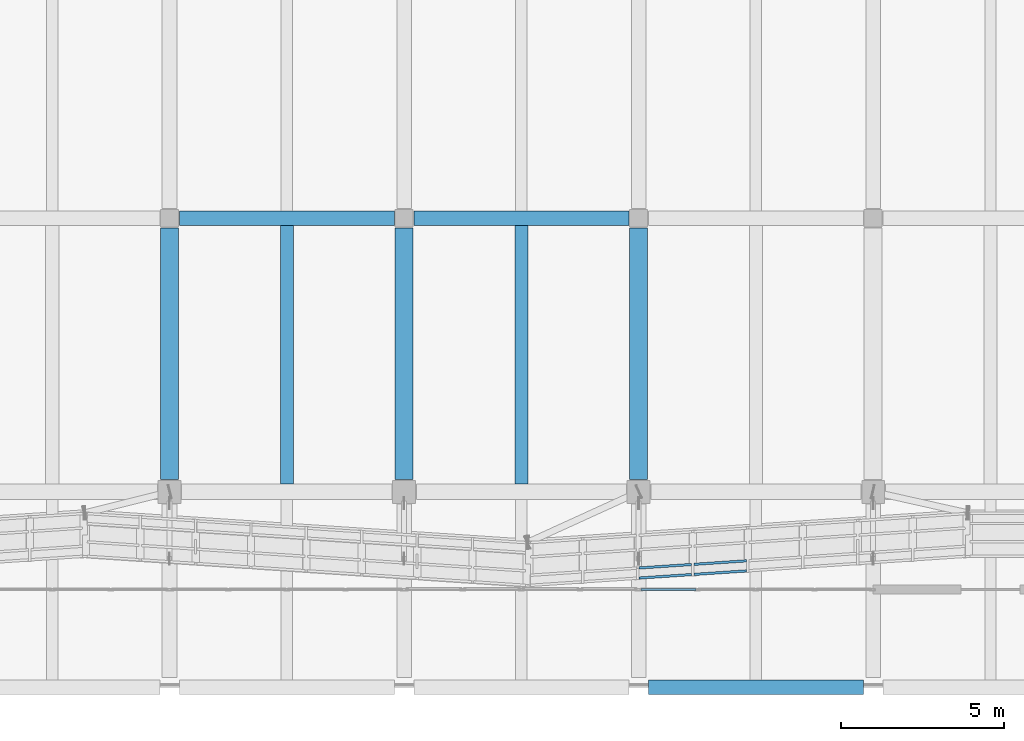
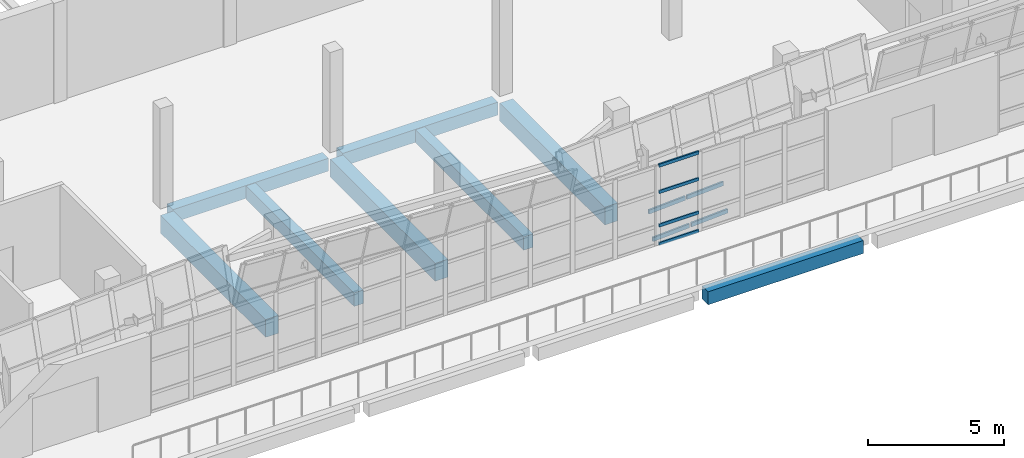
# One storey, part 11 of 67: 8 beams, 8 members, 2 elements without a shape of their own.
"""IFC4 building model written with IfcOpenShell, lengths in metres."""

from ifc_helpers import new_model, si_unit, direction, frame, origin, origin_2d, place, context, subcontext, project, spatial, rectangle, hollow_rectangle, extrude, material, material_profile, profile_set, type_object, element, aggregate, save


model = new_model("IFC4")

# Units and contexts
model_context = context("Model", 3, precision=1e-05, world=origin(), true_north=direction((0.0, 1.0)))
body_context = subcontext(model_context, "Body", "Model", "MODEL_VIEW")
ifc_project = project(units=[si_unit("LENGTHUNIT", "METRE"), si_unit("AREAUNIT", "SQUARE_METRE"), si_unit("VOLUMEUNIT", "CUBIC_METRE"), si_unit("PLANEANGLEUNIT", "RADIAN"), si_unit("MASSUNIT", "GRAM", prefix="KILO")], contexts=[model_context])

# Site, building, storey
site_placement = place(None, origin())
site = spatial("IfcSite", under=ifc_project, at=site_placement, CompositionType="ELEMENT")
building_placement = place(site_placement, origin())
building = spatial("IfcBuilding", under=site, at=building_placement, Name="Pellamere Symphony Hall", CompositionType="ELEMENT")
storey_placement = place(building_placement, frame((0.0, 0.0, 19.5)))
storey = spatial("IfcBuildingStorey", under=building, at=storey_placement, Name="L04", CompositionType="ELEMENT", Elevation=19.5)

# Curtain wall, members
ifc_material_1 = material(Name="Thermally Broken Anodised Aluminium 6063-T6 Curtain Wall", Category="aluminium")
curtain_wall_type_1 = type_object("IfcCurtainWallType", Name="Curtain Wall CW-01 (Tilted Faceted Crystal Low-Iron Curtain Wall)", PredefinedType="NOTDEFINED", material=ifc_material_1)
curtain_wall_1_placement = place(storey_placement, origin())
curtain_wall_1 = element("IfcCurtainWall", 1, at=curtain_wall_1_placement, inside=storey, type_object=curtain_wall_type_1, Name="Crystal Faceted Curtain Wall CW-CR04 (L04)", PredefinedType="NOTDEFINED")
ifc_material_2 = material(Name="Anodised Architectural Aluminium 6063-T6", Category="aluminium")
ifc_material_profile_1 = material_profile(ifc_material_2, hollow_rectangle(XDim=0.074951171875, YDim=0.179931640625, WallThickness=0.0048828125, at=origin_2d()), Name="ALU-T75X180X5")
ifc_profile_set_1 = profile_set([ifc_material_profile_1], Name="Anodised Architectural Aluminium 6063-T6")
member_type_1 = type_object("IfcMemberType", Name="Curtain Wall Transom TR-01 ALU-T75X180X5", PredefinedType="USERDEFINED", material=ifc_profile_set_1)
member_1_placement = place(storey_placement, frame((94.8125, 27.355224609375, 0.035888671875), z_axis=(0.997788498757, 0.06646887804, 0.0), x_axis=(-0.06646887804, 0.997788498757, 0.0)))
member_1 = element("IfcMember", 2, at=member_1_placement, type_object=member_type_1, Name="CW1-004 crystal transom 3.1", ObjectType="TRANSOM", PredefinedType="USERDEFINED", context=body_context, shape_type="SweptSolid", body=[
    extrude(hollow_rectangle(XDim=0.074951171875, YDim=0.179931640625, WallThickness=0.0048828125, at=origin_2d()), origin(), (0.0, 0.0, 1.0), 1.6162109375),
])
member_2_placement = place(storey_placement, frame((94.8125, 27.664306640625, 1.080078125), z_axis=(0.997778468566, 0.06661927398, 0.0), x_axis=(-0.06661927398, 0.997778468566, 0.0)))
member_2 = element("IfcMember", 3, at=member_2_placement, type_object=member_type_1, Name="CW1-004 crystal transom 3.2", ObjectType="TRANSOM", PredefinedType="USERDEFINED", context=body_context, shape_type="SweptSolid", body=[
    extrude(hollow_rectangle(XDim=0.074951171875, YDim=0.179931640625, WallThickness=0.0048828125, at=origin_2d()), origin(), (0.0, 0.0, 1.0), 1.6162109375),
])
member_3_placement = place(storey_placement, frame((96.5, 27.467529296875, 0.035888671875), z_axis=(0.997778468566, 0.06661927398, 0.0), x_axis=(-0.06661927398, 0.997778468566, 0.0)))
member_3 = element("IfcMember", 4, at=member_3_placement, type_object=member_type_1, Name="CW1-004 crystal transom 4.1", ObjectType="TRANSOM", PredefinedType="USERDEFINED", context=body_context, shape_type="SweptSolid", body=[
    extrude(hollow_rectangle(XDim=0.074951171875, YDim=0.179931640625, WallThickness=0.0048828125, at=origin_2d()), origin(), (0.0, 0.0, 1.0), 1.6162109375),
])
member_4_placement = place(storey_placement, frame((96.5, 27.77685546875, 1.080078125), z_axis=(0.997778468566, 0.06661927398, 0.0), x_axis=(-0.06661927398, 0.997778468566, 0.0)))
member_4 = element("IfcMember", 5, at=member_4_placement, type_object=member_type_1, Name="CW1-004 crystal transom 4.2", ObjectType="TRANSOM", PredefinedType="USERDEFINED", context=body_context, shape_type="SweptSolid", body=[
    extrude(hollow_rectangle(XDim=0.074951171875, YDim=0.179931640625, WallThickness=0.0048828125, at=origin_2d()), origin(), (0.0, 0.0, 1.0), 1.6162109375),
])
aggregate(curtain_wall_1, [member_1, member_2, member_3, member_4])

curtain_wall_type_2 = type_object("IfcCurtainWallType", Name="Curtain Wall CW-06 (Belvedere Terrace Clerestory Curtain Wall)", PredefinedType="NOTDEFINED", material=ifc_material_1)
curtain_wall_2_placement = place(storey_placement, origin())
curtain_wall_2 = element("IfcCurtainWall", 6, at=curtain_wall_2_placement, inside=storey, type_object=curtain_wall_type_2, Name="Winter-Garden South Curtain Wall (L04 Bay 7)", PredefinedType="NOTDEFINED")
ifc_material_profile_2 = material_profile(ifc_material_2, hollow_rectangle(XDim=0.06494140625, YDim=0.139892578125, WallThickness=0.00390625, at=origin_2d()), Name="ALU-T65X140X4")
ifc_profile_set_2 = profile_set([ifc_material_profile_2], Name="Anodised Architectural Aluminium 6063-T6")
member_type_2 = type_object("IfcMemberType", Name="Curtain Wall Transom TR-02 ALU-T65X140X4", PredefinedType="USERDEFINED", material=ifc_profile_set_2)
member_5_placement = place(storey_placement, frame((94.864990234375, 27.0, 0.032470703125), z_axis=(1.0, 0.0, 0.0), x_axis=(0.0, 1.0, 0.0)))
member_5 = element("IfcMember", 7, at=member_5_placement, type_object=member_type_2, Name="CW2-100 crystal transom 1.1", ObjectType="TRANSOM", PredefinedType="USERDEFINED", context=body_context, shape_type="SweptSolid", body=[
    extrude(hollow_rectangle(XDim=0.06494140625, YDim=0.139892578125, WallThickness=0.00390625, at=origin_2d()), origin(), (0.0, 0.0, 1.0), 1.702392578125),
])
member_6_placement = place(storey_placement, frame((94.864990234375, 27.0, 0.858642578125), z_axis=(1.0, 0.0, 0.0), x_axis=(0.0, 1.0, 0.0)))
member_6 = element("IfcMember", 8, at=member_6_placement, type_object=member_type_2, Name="CW2-100 crystal transom 1.2", ObjectType="TRANSOM", PredefinedType="USERDEFINED", context=body_context, shape_type="SweptSolid", body=[
    extrude(hollow_rectangle(XDim=0.06494140625, YDim=0.139892578125, WallThickness=0.00390625, at=origin_2d()), origin(), (0.0, 0.0, 1.0), 1.702392578125),
])
member_7_placement = place(storey_placement, frame((94.864990234375, 27.0, 2.361083984375), z_axis=(1.0, 0.0, 0.0), x_axis=(0.0, 1.0, 0.0)))
member_7 = element("IfcMember", 9, at=member_7_placement, type_object=member_type_2, Name="CW2-100 crystal transom 1.3", ObjectType="TRANSOM", PredefinedType="USERDEFINED", context=body_context, shape_type="SweptSolid", body=[
    extrude(hollow_rectangle(XDim=0.06494140625, YDim=0.139892578125, WallThickness=0.00390625, at=origin_2d()), origin(), (0.0, 0.0, 1.0), 1.702392578125),
])
member_8_placement = place(storey_placement, frame((94.864990234375, 27.0, 3.544921875), z_axis=(1.0, 0.0, 0.0), x_axis=(0.0, 1.0, 0.0)))
member_8 = element("IfcMember", 10, at=member_8_placement, type_object=member_type_2, Name="CW2-100 crystal transom 1.4", ObjectType="TRANSOM", PredefinedType="USERDEFINED", context=body_context, shape_type="SweptSolid", body=[
    extrude(hollow_rectangle(XDim=0.06494140625, YDim=0.139892578125, WallThickness=0.00390625, at=origin_2d()), origin(), (0.0, 0.0, 1.0), 1.702392578125),
])
aggregate(curtain_wall_2, [member_5, member_6, member_7, member_8])

# Beams
ifc_material_3 = material(Name="Concrete 40 MPa", Category="concrete")
ifc_material_profile_3 = material_profile(ifc_material_3, rectangle(XDim=0.550048828125, YDim=0.800048828125, at=origin_2d()), Name="RC 550x800")
ifc_profile_set_3 = profile_set([ifc_material_profile_3], Name="Concrete 40 MPa")
beam_type_1 = type_object("IfcBeamType", Name="RC CB-05 550x800", PredefinedType="BEAM", material=ifc_profile_set_3)
for number, where, z_axis, x_axis, name in (
    (11, (80.39990234375, 30.375, -0.659912109375), (0.0, 1.0, 0.0), (-1.0, 0.0, 0.0), "Girder CB-05-Y1893 (L04)"),
    (12, (87.60009765625, 30.375, -0.659912109375), (0.0, 1.0, 0.0), (-1.0, 0.0, 0.0), "Girder CB-05-Y1896 (L04)"),
    (13, (94.800048828125, 30.375, -0.659912109375), (0.0, 1.0, 0.0), (-1.0, 0.0, 0.0), "Girder CB-05-Y1899 (L04)"),
):
    element("IfcBeam", number, at=place(storey_placement, frame(where, z_axis=z_axis, x_axis=x_axis)), inside=storey, type_object=beam_type_1, Name=name, PredefinedType="BEAM", context=body_context, shape_type="SweptSolid", body=[
        extrude(rectangle(XDim=0.550048828125, YDim=0.800048828125, at=origin_2d()), origin(), (0.0, 0.0, 1.0), 7.72509765625),
    ])
ifc_material_profile_4 = material_profile(ifc_material_3, rectangle(XDim=0.39990234375, YDim=0.60009765625, at=origin_2d()), Name="RC 400x600")
ifc_profile_set_4 = profile_set([ifc_material_profile_4], Name="Concrete 40 MPa")
beam_type_2 = type_object("IfcBeamType", Name="RC CB-09 400x600", PredefinedType="BEAM", material=ifc_profile_set_4)
for number, where, z_axis, x_axis, name in (
    (14, (84.0, 30.239990234375, -0.574951171875), (0.0, 1.0, 0.0), (-1.0, 0.0, 0.0), "Secondary Floor Beam CB-09-M1004 (L04)"),
    (15, (91.199951171875, 30.239990234375, -0.574951171875), (0.0, 1.0, 0.0), (-1.0, 0.0, 0.0), "Secondary Floor Beam CB-09-M1104 (L04)"),
):
    element("IfcBeam", number, at=place(storey_placement, frame(where, z_axis=z_axis, x_axis=x_axis)), inside=storey, type_object=beam_type_2, Name=name, PredefinedType="BEAM", context=body_context, shape_type="SweptSolid", body=[
        extrude(rectangle(XDim=0.39990234375, YDim=0.60009765625, at=origin_2d()), origin(), (0.0, 0.0, 1.0), 7.93994140625),
    ])
ifc_material_profile_5 = material_profile(ifc_material_3, rectangle(XDim=0.43994140625, YDim=0.580078125, at=origin_2d()), Name="RC 440x580")
ifc_profile_set_5 = profile_set([ifc_material_profile_5], Name="Concrete 40 MPa")
beam_type_3 = type_object("IfcBeamType", Name="RC CB-20 440x580", PredefinedType="BEAM", material=ifc_profile_set_5)
beam_placement = place(storey_placement, frame((95.10009765625, 24.0, -0.550048828125), z_axis=(1.0, 0.0, 0.0), x_axis=(0.0, 1.0, 0.0)))
element("IfcBeam", 16, at=beam_placement, inside=storey, type_object=beam_type_3, Name="Girder CB-20-X1799 (L04)", PredefinedType="BEAM", context=body_context, shape_type="SweptSolid", body=[
    extrude(rectangle(XDim=0.43994140625, YDim=0.580078125, at=origin_2d()), origin(), (0.0, 0.0, 1.0), 6.599853515625),
])
for number, where, z_axis, x_axis, name in (
    (17, (80.699951171875, 38.39990234375, -0.550048828125), (1.0, 0.0, 0.0), (0.0, 1.0, 0.0), "Girder CB-20-X1822 (L04)"),
    (18, (87.89990234375, 38.39990234375, -0.550048828125), (1.0, 0.0, 0.0), (0.0, 1.0, 0.0), "Girder CB-20-X1823 (L04)"),
):
    element("IfcBeam", number, at=place(storey_placement, frame(where, z_axis=z_axis, x_axis=x_axis)), inside=storey, type_object=beam_type_3, Name=name, PredefinedType="BEAM", context=body_context, shape_type="SweptSolid", body=[
        extrude(rectangle(XDim=0.43994140625, YDim=0.580078125, at=origin_2d()), origin(), (0.0, 0.0, 1.0), 6.60009765625),
    ])

save(model, "model.ifc")
